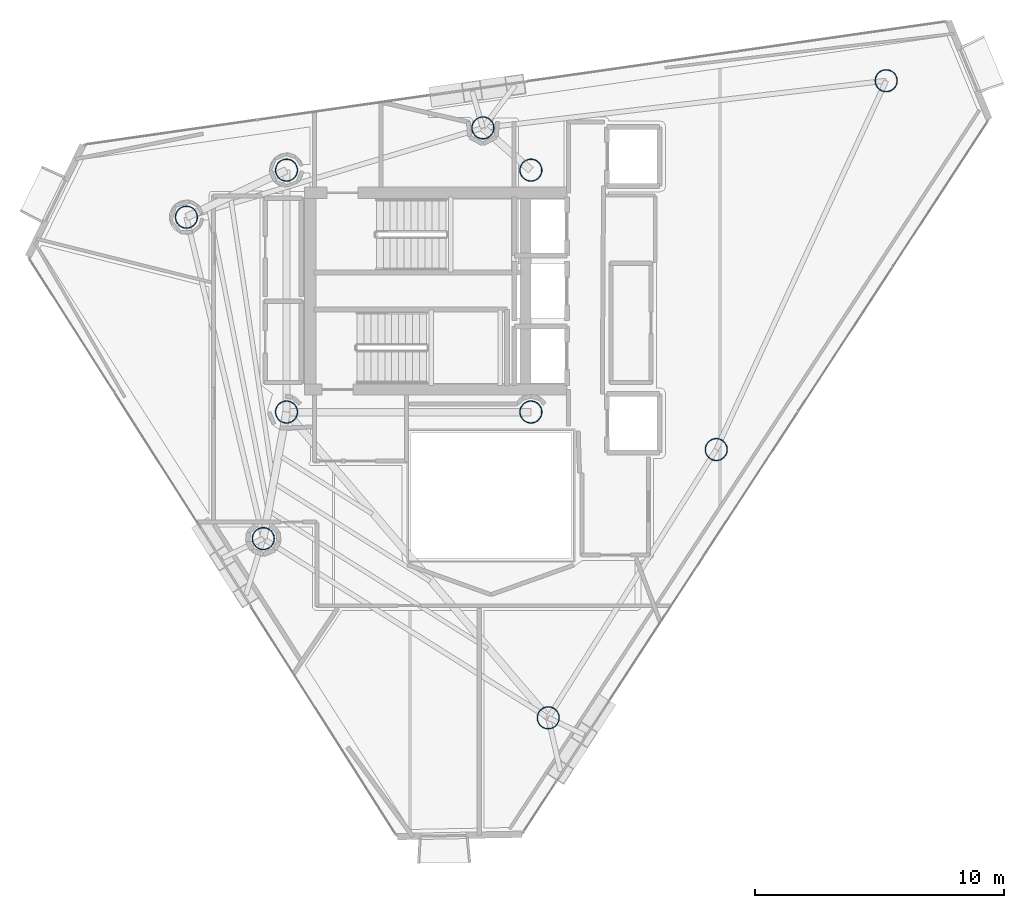
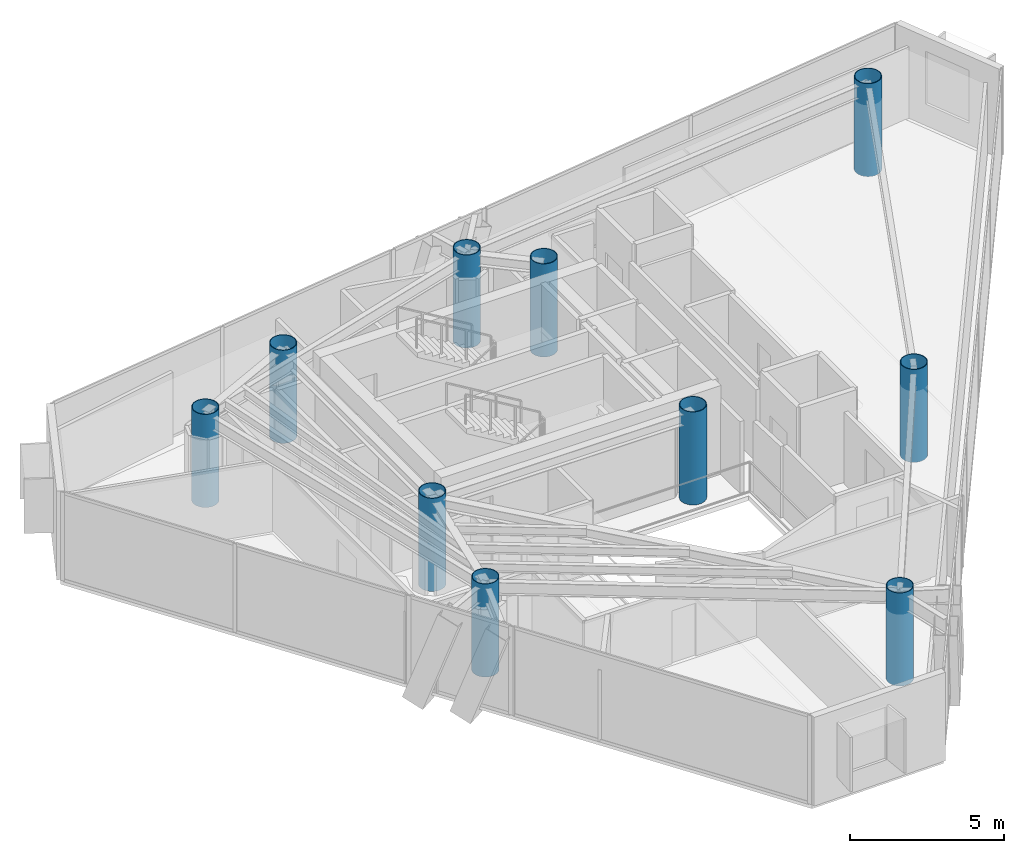
# One storey, part 1 of 25: 10 columns.
"""IFC4 building model written with IfcOpenShell, lengths in metres."""

from ifc_helpers import new_model, si_unit, direction, frame, origin, origin_2d, place, context, subcontext, project, spatial, hollow_circle, extrude, material, material_profile, profile_set, type_object, element, save


model = new_model("IFC4")

# Units and contexts
model_context = context("Model", 3, precision=1e-05, world=origin(), true_north=direction((0.0, 1.0)))
body_context = subcontext(model_context, "Body", "Model", "MODEL_VIEW")
ifc_project = project(units=[si_unit("LENGTHUNIT", "METRE"), si_unit("AREAUNIT", "SQUARE_METRE"), si_unit("VOLUMEUNIT", "CUBIC_METRE"), si_unit("PLANEANGLEUNIT", "RADIAN"), si_unit("MASSUNIT", "GRAM", prefix="KILO")], contexts=[model_context])

# Site, building, storey
site_placement = place(None, origin())
site = spatial("IfcSite", under=ifc_project, at=site_placement, CompositionType="ELEMENT")
building_placement = place(site_placement, origin())
building = spatial("IfcBuilding", under=site, at=building_placement, Name="Qianvela Tower", CompositionType="ELEMENT")
storey_placement = place(building_placement, frame((0.0, 0.0, 291.699951171875)))
storey = spatial("IfcBuildingStorey", under=building, at=storey_placement, Name="L75", CompositionType="ELEMENT", Elevation=291.699951171875)

# Columns
ifc_material = material(Name="Steel Q420GJC", Category="steel")
ifc_material_profile = material_profile(ifc_material, hollow_circle(Radius=0.449951171875, WallThickness=0.02490234375, at=origin_2d()), Name="CFT-900x25")
ifc_profile_set = profile_set([ifc_material_profile], Name="Steel Q420GJC")
column_type = type_object("IfcColumnType", Name="COL-CFT-900x25", PredefinedType="COLUMN", material=ifc_profile_set)
for number, where, z_axis, x_axis, name in (
    (1, (28.60009765625, 33.550048828125, 0.0), (0.0, 0.0, 1.0), (1.0, 0.0, 0.0), "L75 Core Corner Mega-Column CC-NW"),
    (2, (28.60009765625, 23.85009765625, 0.0), (0.0, 0.0, 1.0), (1.0, 0.0, 0.0), "L75 Core Corner Mega-Column CC-SW"),
    (3, (38.39990234375, 33.550048828125, 0.0), (0.0, 0.0, 1.0), (1.0, 0.0, 0.0), "L75 Core Corner Mega-Column CC-NE"),
    (4, (38.39990234375, 23.85009765625, 0.0), (0.0, 0.0, 1.0), (1.0, 0.0, 0.0), "L75 Core Corner Mega-Column CC-SE"),
    (5, (52.64794921875, 37.135009765625, 0.0), (0.0, 0.0, 1.0), (1.0, 0.0, 0.0), "L75 Zone Z7 CFT Mega-Column C1"),
    (6, (36.47607421875, 35.242919921875, 0.0), (0.0, 0.0, 1.0), (1.0, 0.0, 0.0), "L75 Zone Z7 CFT Mega-Column C2"),
    (7, (24.5869140625, 31.6630859375, 0.0), (0.0, 0.0, 1.0), (1.0, 0.0, 0.0), "L75 Zone Z7 CFT Mega-Column C3"),
    (8, (27.669921875, 18.77392578125, 0.0), (0.0, 0.0, 1.0), (1.0, 0.0, 0.0), "L75 Zone Z7 CFT Mega-Column C4"),
    (9, (39.095947265625, 11.587890625, 0.0), (0.0, 0.0, 1.0), (1.0, 0.0, 0.0), "L75 Zone Z7 CFT Mega-Column C5"),
    (10, (45.833984375, 22.344970703125, 0.0), (0.0, 0.0, 1.0), (1.0, 0.0, 0.0), "L75 Zone Z7 CFT Mega-Column C6"),
):
    element("IfcColumn", number, at=place(storey_placement, frame(where, z_axis=z_axis, x_axis=x_axis)), inside=storey, type_object=column_type, Name=name, PredefinedType="COLUMN", context=body_context, shape_type="SweptSolid", body=[
        extrude(hollow_circle(Radius=0.449951171875, WallThickness=0.02490234375, at=origin_2d()), origin(), (0.0, 0.0, 1.0), 3.699951171875),
    ])

save(model, "model.ifc")
